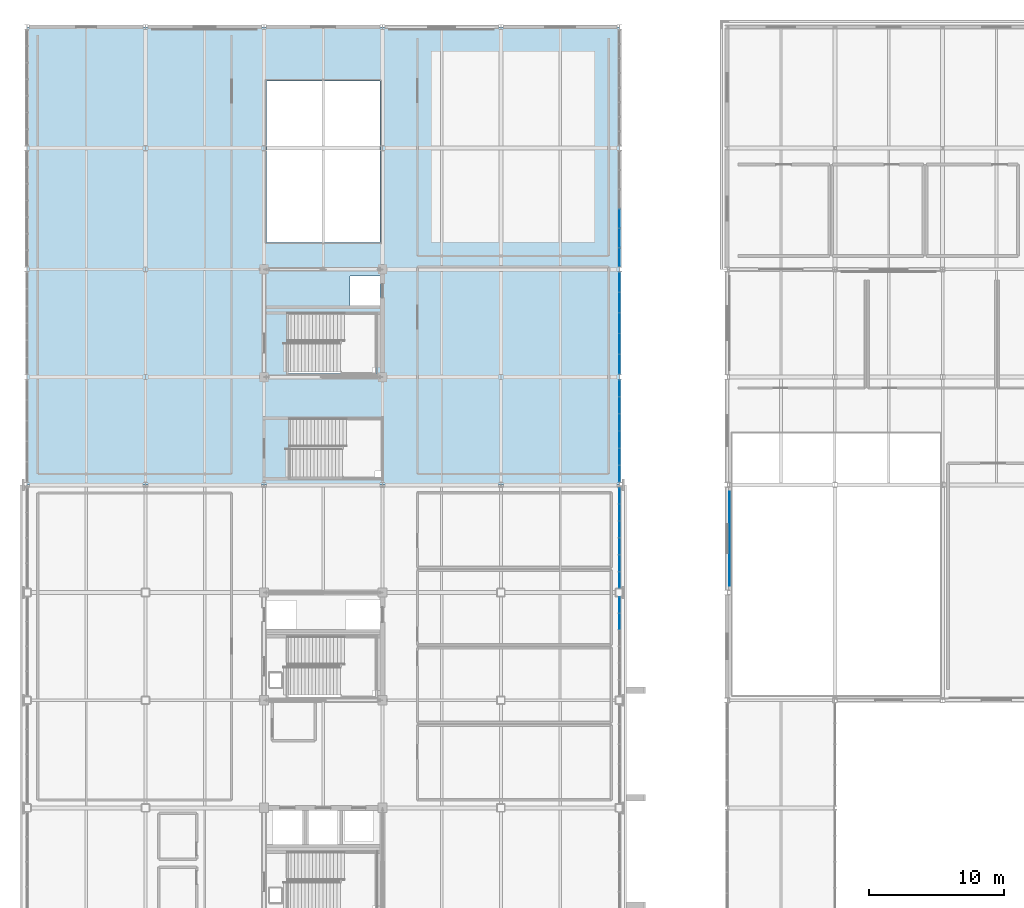
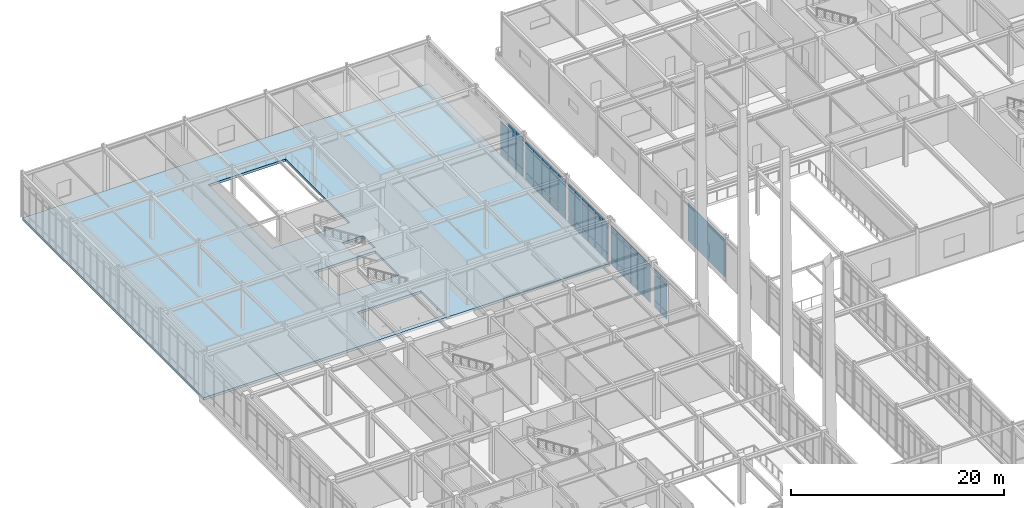
# One storey, part 97 of 184: 66 plates, 1 slab, 5 elements without a shape of their own.
"""IFC4 building model written with IfcOpenShell, lengths in metres."""

from ifc_helpers import new_model, si_unit, direction, frame, origin, origin_2d, place, context, subcontext, project, spatial, polyline, rectangle, outline, extrude, material, layer, layer_set, type_object, element, aggregate, save


model = new_model("IFC4")

# Units and contexts
model_context = context("Model", 3, precision=1e-05, world=origin(), true_north=direction((0.0, 1.0)))
body_context = subcontext(model_context, "Body", "Model", "MODEL_VIEW")
ifc_project = project(units=[si_unit("LENGTHUNIT", "METRE"), si_unit("AREAUNIT", "SQUARE_METRE"), si_unit("VOLUMEUNIT", "CUBIC_METRE"), si_unit("PLANEANGLEUNIT", "RADIAN"), si_unit("MASSUNIT", "GRAM", prefix="KILO")], contexts=[model_context])

# Site, building, storey
site_placement = place(None, origin())
site = spatial("IfcSite", under=ifc_project, at=site_placement, CompositionType="ELEMENT")
building_placement = place(site_placement, origin())
building = spatial("IfcBuilding", under=site, at=building_placement, Name="Zhaolan Boulevard Law Courts", CompositionType="ELEMENT")
storey_placement = place(building_placement, frame((0.0, 0.0, 5.39990234375)))
storey = spatial("IfcBuildingStorey", under=building, at=storey_placement, Name="L01", CompositionType="ELEMENT", Elevation=5.39990234375)

# Curtain wall, plates
ifc_material_1 = material(Name="Thermally broken aluminium and low-E glazing", Category="aluminium")
curtain_wall_type_1 = type_object("IfcCurtainWallType", Name="CURTAIN WALL M15", PredefinedType="USERDEFINED", material=ifc_material_1)
curtain_wall_1_placement = place(storey_placement, origin())
curtain_wall_1 = element("IfcCurtainWall", 1, at=curtain_wall_1_placement, inside=storey, type_object=curtain_wall_type_1, Name="Curtain Wall CW-L01-111", ObjectType="CURTAIN WALL", PredefinedType="USERDEFINED")
ifc_material_2 = material(Name="Acoustic laminated low-E glazing", Category="glass")
ifc_layer_1 = layer(ifc_material_2, 0.031982421875)
ifc_layer_set_1 = layer_set([ifc_layer_1])
plate_type_1 = type_object("IfcPlateType", Name="CWPANEL LOW E32", PredefinedType="CURTAIN_PANEL", material=ifc_layer_set_1)
plate_1_placement = place(storey_placement, frame((44.0, 78.830322265625, 0.06494140625), z_axis=(0.0, 0.0, 1.0), x_axis=(0.0, 1.0, 0.0)))
plate_1 = element("IfcPlate", 2, at=plate_1_placement, type_object=plate_type_1, Name="CW-L01-111 panel 1.1", PredefinedType="CURTAIN_PANEL", context=body_context, shape_type="SweptSolid", body=[
    extrude(rectangle(XDim=1.1767578125, YDim=0.031982421875, at=origin_2d()), origin(), (0.0, 0.0, 1.0), 0.802490234375),
])
plate_2_placement = place(storey_placement, frame((44.0, 78.830322265625, 0.9326171875), z_axis=(0.0, 0.0, 1.0), x_axis=(0.0, 1.0, 0.0)))
plate_2 = element("IfcPlate", 3, at=plate_2_placement, type_object=plate_type_1, Name="CW-L01-111 panel 1.2", PredefinedType="CURTAIN_PANEL", context=body_context, shape_type="SweptSolid", body=[
    extrude(rectangle(XDim=1.1767578125, YDim=0.031982421875, at=origin_2d()), origin(), (0.0, 0.0, 1.0), 2.887939453125),
])
plate_3_placement = place(storey_placement, frame((44.0, 78.830322265625, 3.8857421875), z_axis=(0.0, 0.0, 1.0), x_axis=(0.0, 1.0, 0.0)))
plate_3 = element("IfcPlate", 4, at=plate_3_placement, type_object=plate_type_1, Name="CW-L01-111 panel 1.3", PredefinedType="CURTAIN_PANEL", context=body_context, shape_type="SweptSolid", body=[
    extrude(rectangle(XDim=1.1767578125, YDim=0.031982421875, at=origin_2d()), origin(), (0.0, 0.0, 1.0), 0.552490234375),
])
plate_4_placement = place(storey_placement, frame((44.0, 80.08837890625, 0.06494140625), z_axis=(0.0, 0.0, 1.0), x_axis=(0.0, 1.0, 0.0)))
plate_4 = element("IfcPlate", 5, at=plate_4_placement, type_object=plate_type_1, Name="CW-L01-111 panel 2.1", PredefinedType="CURTAIN_PANEL", context=body_context, shape_type="SweptSolid", body=[
    extrude(rectangle(XDim=1.209228515625, YDim=0.031982421875, at=origin_2d()), origin(), (0.0, 0.0, 1.0), 0.802490234375),
])
plate_5_placement = place(storey_placement, frame((44.0, 80.08837890625, 0.9326171875), z_axis=(0.0, 0.0, 1.0), x_axis=(0.0, 1.0, 0.0)))
plate_5 = element("IfcPlate", 6, at=plate_5_placement, type_object=plate_type_1, Name="CW-L01-111 panel 2.2", PredefinedType="CURTAIN_PANEL", context=body_context, shape_type="SweptSolid", body=[
    extrude(rectangle(XDim=1.209228515625, YDim=0.031982421875, at=origin_2d()), origin(), (0.0, 0.0, 1.0), 2.887939453125),
])
plate_6_placement = place(storey_placement, frame((44.0, 80.08837890625, 3.8857421875), z_axis=(0.0, 0.0, 1.0), x_axis=(0.0, 1.0, 0.0)))
plate_6 = element("IfcPlate", 7, at=plate_6_placement, type_object=plate_type_1, Name="CW-L01-111 panel 2.3", PredefinedType="CURTAIN_PANEL", context=body_context, shape_type="SweptSolid", body=[
    extrude(rectangle(XDim=1.209228515625, YDim=0.031982421875, at=origin_2d()), origin(), (0.0, 0.0, 1.0), 0.552490234375),
])
plate_7_placement = place(storey_placement, frame((44.0, 81.36279296875, 0.06494140625), z_axis=(0.0, 0.0, 1.0), x_axis=(0.0, 1.0, 0.0)))
plate_7 = element("IfcPlate", 8, at=plate_7_placement, type_object=plate_type_1, Name="CW-L01-111 panel 3.1", PredefinedType="CURTAIN_PANEL", context=body_context, shape_type="SweptSolid", body=[
    extrude(rectangle(XDim=1.209228515625, YDim=0.031982421875, at=origin_2d()), origin(), (0.0, 0.0, 1.0), 0.802490234375),
])
plate_8_placement = place(storey_placement, frame((44.0, 81.36279296875, 0.9326171875), z_axis=(0.0, 0.0, 1.0), x_axis=(0.0, 1.0, 0.0)))
plate_8 = element("IfcPlate", 9, at=plate_8_placement, type_object=plate_type_1, Name="CW-L01-111 panel 3.2", PredefinedType="CURTAIN_PANEL", context=body_context, shape_type="SweptSolid", body=[
    extrude(rectangle(XDim=1.209228515625, YDim=0.031982421875, at=origin_2d()), origin(), (0.0, 0.0, 1.0), 2.887939453125),
])
plate_9_placement = place(storey_placement, frame((44.0, 81.36279296875, 3.8857421875), z_axis=(0.0, 0.0, 1.0), x_axis=(0.0, 1.0, 0.0)))
plate_9 = element("IfcPlate", 10, at=plate_9_placement, type_object=plate_type_1, Name="CW-L01-111 panel 3.3", PredefinedType="CURTAIN_PANEL", context=body_context, shape_type="SweptSolid", body=[
    extrude(rectangle(XDim=1.209228515625, YDim=0.031982421875, at=origin_2d()), origin(), (0.0, 0.0, 1.0), 0.552490234375),
])
plate_10_placement = place(storey_placement, frame((44.0, 82.63720703125, 0.06494140625), z_axis=(0.0, 0.0, 1.0), x_axis=(0.0, 1.0, 0.0)))
plate_10 = element("IfcPlate", 11, at=plate_10_placement, type_object=plate_type_1, Name="CW-L01-111 panel 4.1", PredefinedType="CURTAIN_PANEL", context=body_context, shape_type="SweptSolid", body=[
    extrude(rectangle(XDim=1.209228515625, YDim=0.031982421875, at=origin_2d()), origin(), (0.0, 0.0, 1.0), 0.802490234375),
])
plate_11_placement = place(storey_placement, frame((44.0, 82.63720703125, 0.9326171875), z_axis=(0.0, 0.0, 1.0), x_axis=(0.0, 1.0, 0.0)))
plate_11 = element("IfcPlate", 12, at=plate_11_placement, type_object=plate_type_1, Name="CW-L01-111 panel 4.2", PredefinedType="CURTAIN_PANEL", context=body_context, shape_type="SweptSolid", body=[
    extrude(rectangle(XDim=1.209228515625, YDim=0.031982421875, at=origin_2d()), origin(), (0.0, 0.0, 1.0), 2.887939453125),
])
plate_12_placement = place(storey_placement, frame((44.0, 82.63720703125, 3.8857421875), z_axis=(0.0, 0.0, 1.0), x_axis=(0.0, 1.0, 0.0)))
plate_12 = element("IfcPlate", 13, at=plate_12_placement, type_object=plate_type_1, Name="CW-L01-111 panel 4.3", PredefinedType="CURTAIN_PANEL", context=body_context, shape_type="SweptSolid", body=[
    extrude(rectangle(XDim=1.209228515625, YDim=0.031982421875, at=origin_2d()), origin(), (0.0, 0.0, 1.0), 0.552490234375),
])
plate_13_placement = place(storey_placement, frame((44.0, 83.91162109375, 0.06494140625), z_axis=(0.0, 0.0, 1.0), x_axis=(0.0, 1.0, 0.0)))
plate_13 = element("IfcPlate", 14, at=plate_13_placement, type_object=plate_type_1, Name="CW-L01-111 panel 5.1", PredefinedType="CURTAIN_PANEL", context=body_context, shape_type="SweptSolid", body=[
    extrude(rectangle(XDim=1.209228515625, YDim=0.031982421875, at=origin_2d()), origin(), (0.0, 0.0, 1.0), 0.802490234375),
])
plate_14_placement = place(storey_placement, frame((44.0, 83.91162109375, 0.9326171875), z_axis=(0.0, 0.0, 1.0), x_axis=(0.0, 1.0, 0.0)))
plate_14 = element("IfcPlate", 15, at=plate_14_placement, type_object=plate_type_1, Name="CW-L01-111 panel 5.2", PredefinedType="CURTAIN_PANEL", context=body_context, shape_type="SweptSolid", body=[
    extrude(rectangle(XDim=1.209228515625, YDim=0.031982421875, at=origin_2d()), origin(), (0.0, 0.0, 1.0), 2.887939453125),
])
plate_15_placement = place(storey_placement, frame((44.0, 83.91162109375, 3.8857421875), z_axis=(0.0, 0.0, 1.0), x_axis=(0.0, 1.0, 0.0)))
plate_15 = element("IfcPlate", 16, at=plate_15_placement, type_object=plate_type_1, Name="CW-L01-111 panel 5.3", PredefinedType="CURTAIN_PANEL", context=body_context, shape_type="SweptSolid", body=[
    extrude(rectangle(XDim=1.209228515625, YDim=0.031982421875, at=origin_2d()), origin(), (0.0, 0.0, 1.0), 0.552490234375),
])
plate_16_placement = place(storey_placement, frame((44.0, 85.169677734375, 0.06494140625), z_axis=(0.0, 0.0, 1.0), x_axis=(0.0, 1.0, 0.0)))
plate_16 = element("IfcPlate", 17, at=plate_16_placement, type_object=plate_type_1, Name="CW-L01-111 panel 6.1", PredefinedType="CURTAIN_PANEL", context=body_context, shape_type="SweptSolid", body=[
    extrude(rectangle(XDim=1.1767578125, YDim=0.031982421875, at=origin_2d()), origin(), (0.0, 0.0, 1.0), 0.802490234375),
])
plate_17_placement = place(storey_placement, frame((44.0, 85.169677734375, 0.9326171875), z_axis=(0.0, 0.0, 1.0), x_axis=(0.0, 1.0, 0.0)))
plate_17 = element("IfcPlate", 18, at=plate_17_placement, type_object=plate_type_1, Name="CW-L01-111 panel 6.2", PredefinedType="CURTAIN_PANEL", context=body_context, shape_type="SweptSolid", body=[
    extrude(rectangle(XDim=1.1767578125, YDim=0.031982421875, at=origin_2d()), origin(), (0.0, 0.0, 1.0), 2.887939453125),
])
plate_18_placement = place(storey_placement, frame((44.0, 85.169677734375, 3.8857421875), z_axis=(0.0, 0.0, 1.0), x_axis=(0.0, 1.0, 0.0)))
plate_18 = element("IfcPlate", 19, at=plate_18_placement, type_object=plate_type_1, Name="CW-L01-111 panel 6.3", PredefinedType="CURTAIN_PANEL", context=body_context, shape_type="SweptSolid", body=[
    extrude(rectangle(XDim=1.1767578125, YDim=0.031982421875, at=origin_2d()), origin(), (0.0, 0.0, 1.0), 0.552490234375),
])
aggregate(curtain_wall_1, [plate_1, plate_2, plate_3, plate_4, plate_5, plate_6, plate_7, plate_8, plate_9, plate_10, plate_11, plate_12, plate_13, plate_14, plate_15, plate_16, plate_17, plate_18])

ifc_material_3 = material(Name="Thermally broken aluminium and low-E glazing", Category="aluminium")
curtain_wall_type_2 = type_object("IfcCurtainWallType", Name="CURTAIN WALL M16", PredefinedType="USERDEFINED", material=ifc_material_3)
curtain_wall_2_placement = place(storey_placement, origin())
curtain_wall_2 = element("IfcCurtainWall", 20, at=curtain_wall_2_placement, inside=storey, type_object=curtain_wall_type_2, Name="Curtain Wall CW-L01-112", ObjectType="CURTAIN WALL", PredefinedType="USERDEFINED")
plate_19_placement = place(storey_placement, frame((44.0, 86.957763671875, 0.06494140625), z_axis=(0.0, 0.0, 1.0), x_axis=(0.0, 1.0, 0.0)))
plate_19 = element("IfcPlate", 21, at=plate_19_placement, type_object=plate_type_1, Name="CW-L01-112 panel 1.1", PredefinedType="CURTAIN_PANEL", context=body_context, shape_type="SweptSolid", body=[
    extrude(rectangle(XDim=1.431640625, YDim=0.031982421875, at=origin_2d()), origin(), (0.0, 0.0, 1.0), 0.802490234375),
])
plate_20_placement = place(storey_placement, frame((44.0, 86.957763671875, 0.9326171875), z_axis=(0.0, 0.0, 1.0), x_axis=(0.0, 1.0, 0.0)))
plate_20 = element("IfcPlate", 22, at=plate_20_placement, type_object=plate_type_1, Name="CW-L01-112 panel 1.2", PredefinedType="CURTAIN_PANEL", context=body_context, shape_type="SweptSolid", body=[
    extrude(rectangle(XDim=1.431640625, YDim=0.031982421875, at=origin_2d()), origin(), (0.0, 0.0, 1.0), 2.887939453125),
])
plate_21_placement = place(storey_placement, frame((44.0, 86.957763671875, 3.8857421875), z_axis=(0.0, 0.0, 1.0), x_axis=(0.0, 1.0, 0.0)))
plate_21 = element("IfcPlate", 23, at=plate_21_placement, type_object=plate_type_1, Name="CW-L01-112 panel 1.3", PredefinedType="CURTAIN_PANEL", context=body_context, shape_type="SweptSolid", body=[
    extrude(rectangle(XDim=1.431640625, YDim=0.031982421875, at=origin_2d()), origin(), (0.0, 0.0, 1.0), 0.552490234375),
])
plate_22_placement = place(storey_placement, frame((44.0, 88.470703125, 0.06494140625), z_axis=(0.0, 0.0, 1.0), x_axis=(0.0, 1.0, 0.0)))
plate_22 = element("IfcPlate", 24, at=plate_22_placement, type_object=plate_type_1, Name="CW-L01-112 panel 2.1", PredefinedType="CURTAIN_PANEL", context=body_context, shape_type="SweptSolid", body=[
    extrude(rectangle(XDim=1.464111328125, YDim=0.031982421875, at=origin_2d()), origin(), (0.0, 0.0, 1.0), 0.802490234375),
])
plate_23_placement = place(storey_placement, frame((44.0, 88.470703125, 0.9326171875), z_axis=(0.0, 0.0, 1.0), x_axis=(0.0, 1.0, 0.0)))
plate_23 = element("IfcPlate", 25, at=plate_23_placement, type_object=plate_type_1, Name="CW-L01-112 panel 2.2", PredefinedType="CURTAIN_PANEL", context=body_context, shape_type="SweptSolid", body=[
    extrude(rectangle(XDim=1.464111328125, YDim=0.031982421875, at=origin_2d()), origin(), (0.0, 0.0, 1.0), 2.887939453125),
])
plate_24_placement = place(storey_placement, frame((44.0, 88.470703125, 3.8857421875), z_axis=(0.0, 0.0, 1.0), x_axis=(0.0, 1.0, 0.0)))
plate_24 = element("IfcPlate", 26, at=plate_24_placement, type_object=plate_type_1, Name="CW-L01-112 panel 2.3", PredefinedType="CURTAIN_PANEL", context=body_context, shape_type="SweptSolid", body=[
    extrude(rectangle(XDim=1.464111328125, YDim=0.031982421875, at=origin_2d()), origin(), (0.0, 0.0, 1.0), 0.552490234375),
])
plate_25_placement = place(storey_placement, frame((44.0, 90.0, 0.06494140625), z_axis=(0.0, 0.0, 1.0), x_axis=(0.0, 1.0, 0.0)))
plate_25 = element("IfcPlate", 27, at=plate_25_placement, type_object=plate_type_1, Name="CW-L01-112 panel 3.1", PredefinedType="CURTAIN_PANEL", context=body_context, shape_type="SweptSolid", body=[
    extrude(rectangle(XDim=1.464111328125, YDim=0.031982421875, at=origin_2d()), origin(), (0.0, 0.0, 1.0), 0.802490234375),
])
plate_26_placement = place(storey_placement, frame((44.0, 90.0, 0.9326171875), z_axis=(0.0, 0.0, 1.0), x_axis=(0.0, 1.0, 0.0)))
plate_26 = element("IfcPlate", 28, at=plate_26_placement, type_object=plate_type_1, Name="CW-L01-112 panel 3.2", PredefinedType="CURTAIN_PANEL", context=body_context, shape_type="SweptSolid", body=[
    extrude(rectangle(XDim=1.464111328125, YDim=0.031982421875, at=origin_2d()), origin(), (0.0, 0.0, 1.0), 2.887939453125),
])
plate_27_placement = place(storey_placement, frame((44.0, 90.0, 3.8857421875), z_axis=(0.0, 0.0, 1.0), x_axis=(0.0, 1.0, 0.0)))
plate_27 = element("IfcPlate", 29, at=plate_27_placement, type_object=plate_type_1, Name="CW-L01-112 panel 3.3", PredefinedType="CURTAIN_PANEL", context=body_context, shape_type="SweptSolid", body=[
    extrude(rectangle(XDim=1.464111328125, YDim=0.031982421875, at=origin_2d()), origin(), (0.0, 0.0, 1.0), 0.552490234375),
])
plate_28_placement = place(storey_placement, frame((44.0, 91.529296875, 0.06494140625), z_axis=(0.0, 0.0, 1.0), x_axis=(0.0, 1.0, 0.0)))
plate_28 = element("IfcPlate", 30, at=plate_28_placement, type_object=plate_type_1, Name="CW-L01-112 panel 4.1", PredefinedType="CURTAIN_PANEL", context=body_context, shape_type="SweptSolid", body=[
    extrude(rectangle(XDim=1.464111328125, YDim=0.031982421875, at=origin_2d()), origin(), (0.0, 0.0, 1.0), 0.802490234375),
])
plate_29_placement = place(storey_placement, frame((44.0, 91.529296875, 0.9326171875), z_axis=(0.0, 0.0, 1.0), x_axis=(0.0, 1.0, 0.0)))
plate_29 = element("IfcPlate", 31, at=plate_29_placement, type_object=plate_type_1, Name="CW-L01-112 panel 4.2", PredefinedType="CURTAIN_PANEL", context=body_context, shape_type="SweptSolid", body=[
    extrude(rectangle(XDim=1.464111328125, YDim=0.031982421875, at=origin_2d()), origin(), (0.0, 0.0, 1.0), 2.887939453125),
])
plate_30_placement = place(storey_placement, frame((44.0, 91.529296875, 3.8857421875), z_axis=(0.0, 0.0, 1.0), x_axis=(0.0, 1.0, 0.0)))
plate_30 = element("IfcPlate", 32, at=plate_30_placement, type_object=plate_type_1, Name="CW-L01-112 panel 4.3", PredefinedType="CURTAIN_PANEL", context=body_context, shape_type="SweptSolid", body=[
    extrude(rectangle(XDim=1.464111328125, YDim=0.031982421875, at=origin_2d()), origin(), (0.0, 0.0, 1.0), 0.552490234375),
])
plate_31_placement = place(storey_placement, frame((44.0, 93.042236328125, 0.06494140625), z_axis=(0.0, 0.0, 1.0), x_axis=(0.0, 1.0, 0.0)))
plate_31 = element("IfcPlate", 33, at=plate_31_placement, type_object=plate_type_1, Name="CW-L01-112 panel 5.1", PredefinedType="CURTAIN_PANEL", context=body_context, shape_type="SweptSolid", body=[
    extrude(rectangle(XDim=1.431640625, YDim=0.031982421875, at=origin_2d()), origin(), (0.0, 0.0, 1.0), 0.802490234375),
])
plate_32_placement = place(storey_placement, frame((44.0, 93.042236328125, 0.9326171875), z_axis=(0.0, 0.0, 1.0), x_axis=(0.0, 1.0, 0.0)))
plate_32 = element("IfcPlate", 34, at=plate_32_placement, type_object=plate_type_1, Name="CW-L01-112 panel 5.2", PredefinedType="CURTAIN_PANEL", context=body_context, shape_type="SweptSolid", body=[
    extrude(rectangle(XDim=1.431640625, YDim=0.031982421875, at=origin_2d()), origin(), (0.0, 0.0, 1.0), 2.887939453125),
])
plate_33_placement = place(storey_placement, frame((44.0, 93.042236328125, 3.8857421875), z_axis=(0.0, 0.0, 1.0), x_axis=(0.0, 1.0, 0.0)))
plate_33 = element("IfcPlate", 35, at=plate_33_placement, type_object=plate_type_1, Name="CW-L01-112 panel 5.3", PredefinedType="CURTAIN_PANEL", context=body_context, shape_type="SweptSolid", body=[
    extrude(rectangle(XDim=1.431640625, YDim=0.031982421875, at=origin_2d()), origin(), (0.0, 0.0, 1.0), 0.552490234375),
])
aggregate(curtain_wall_2, [plate_19, plate_20, plate_21, plate_22, plate_23, plate_24, plate_25, plate_26, plate_27, plate_28, plate_29, plate_30, plate_31, plate_32, plate_33])

ifc_material_4 = material(Name="Thermally broken aluminium and low-E glazing", Category="aluminium")
curtain_wall_type_3 = type_object("IfcCurtainWallType", Name="CURTAIN WALL M17", PredefinedType="USERDEFINED", material=ifc_material_4)
curtain_wall_3_placement = place(storey_placement, origin())
curtain_wall_3 = element("IfcCurtainWall", 36, at=curtain_wall_3_placement, inside=storey, type_object=curtain_wall_type_3, Name="Curtain Wall CW-L01-113", ObjectType="CURTAIN WALL", PredefinedType="USERDEFINED")
plate_34_placement = place(storey_placement, frame((44.0, 94.913818359375, 0.06494140625), z_axis=(0.0, 0.0, 1.0), x_axis=(0.0, 1.0, 0.0)))
plate_34 = element("IfcPlate", 37, at=plate_34_placement, type_object=plate_type_1, Name="CW-L01-113 panel 1.1", PredefinedType="CURTAIN_PANEL", context=body_context, shape_type="SweptSolid", body=[
    extrude(rectangle(XDim=1.343505859375, YDim=0.031982421875, at=origin_2d()), origin(), (0.0, 0.0, 1.0), 0.802490234375),
])
plate_35_placement = place(storey_placement, frame((44.0, 94.913818359375, 0.9326171875), z_axis=(0.0, 0.0, 1.0), x_axis=(0.0, 1.0, 0.0)))
plate_35 = element("IfcPlate", 38, at=plate_35_placement, type_object=plate_type_1, Name="CW-L01-113 panel 1.2", PredefinedType="CURTAIN_PANEL", context=body_context, shape_type="SweptSolid", body=[
    extrude(rectangle(XDim=1.343505859375, YDim=0.031982421875, at=origin_2d()), origin(), (0.0, 0.0, 1.0), 3.006103515625),
])
plate_36_placement = place(storey_placement, frame((44.0, 94.913818359375, 4.00341796875), z_axis=(0.0, 0.0, 1.0), x_axis=(0.0, 1.0, 0.0)))
plate_36 = element("IfcPlate", 39, at=plate_36_placement, type_object=plate_type_1, Name="CW-L01-113 panel 1.3", PredefinedType="CURTAIN_PANEL", context=body_context, shape_type="SweptSolid", body=[
    extrude(rectangle(XDim=1.343505859375, YDim=0.031982421875, at=origin_2d()), origin(), (0.0, 0.0, 1.0), 0.552490234375),
])
plate_37_placement = place(storey_placement, frame((44.0, 96.33837890625, 0.06494140625), z_axis=(0.0, 0.0, 1.0), x_axis=(0.0, 1.0, 0.0)))
plate_37 = element("IfcPlate", 40, at=plate_37_placement, type_object=plate_type_1, Name="CW-L01-113 panel 2.1", PredefinedType="CURTAIN_PANEL", context=body_context, shape_type="SweptSolid", body=[
    extrude(rectangle(XDim=1.3759765625, YDim=0.031982421875, at=origin_2d()), origin(), (0.0, 0.0, 1.0), 0.802490234375),
])
plate_38_placement = place(storey_placement, frame((44.0, 96.33837890625, 0.9326171875), z_axis=(0.0, 0.0, 1.0), x_axis=(0.0, 1.0, 0.0)))
plate_38 = element("IfcPlate", 41, at=plate_38_placement, type_object=plate_type_1, Name="CW-L01-113 panel 2.2", PredefinedType="CURTAIN_PANEL", context=body_context, shape_type="SweptSolid", body=[
    extrude(rectangle(XDim=1.3759765625, YDim=0.031982421875, at=origin_2d()), origin(), (0.0, 0.0, 1.0), 3.006103515625),
])
plate_39_placement = place(storey_placement, frame((44.0, 96.33837890625, 4.00341796875), z_axis=(0.0, 0.0, 1.0), x_axis=(0.0, 1.0, 0.0)))
plate_39 = element("IfcPlate", 42, at=plate_39_placement, type_object=plate_type_1, Name="CW-L01-113 panel 2.3", PredefinedType="CURTAIN_PANEL", context=body_context, shape_type="SweptSolid", body=[
    extrude(rectangle(XDim=1.3759765625, YDim=0.031982421875, at=origin_2d()), origin(), (0.0, 0.0, 1.0), 0.552490234375),
])
plate_40_placement = place(storey_placement, frame((44.0, 97.779541015625, 0.06494140625), z_axis=(0.0, 0.0, 1.0), x_axis=(0.0, 1.0, 0.0)))
plate_40 = element("IfcPlate", 43, at=plate_40_placement, type_object=plate_type_1, Name="CW-L01-113 panel 3.1", PredefinedType="CURTAIN_PANEL", context=body_context, shape_type="SweptSolid", body=[
    extrude(rectangle(XDim=1.3759765625, YDim=0.031982421875, at=origin_2d()), origin(), (0.0, 0.0, 1.0), 0.802490234375),
])
plate_41_placement = place(storey_placement, frame((44.0, 97.779541015625, 0.9326171875), z_axis=(0.0, 0.0, 1.0), x_axis=(0.0, 1.0, 0.0)))
plate_41 = element("IfcPlate", 44, at=plate_41_placement, type_object=plate_type_1, Name="CW-L01-113 panel 3.2", PredefinedType="CURTAIN_PANEL", context=body_context, shape_type="SweptSolid", body=[
    extrude(rectangle(XDim=1.3759765625, YDim=0.031982421875, at=origin_2d()), origin(), (0.0, 0.0, 1.0), 3.006103515625),
])
aggregate(curtain_wall_3, [plate_34, plate_35, plate_36, plate_37, plate_38, plate_39, plate_40, plate_41])

ifc_material_5 = material(Name="Thermally broken aluminium and low-E glazing", Category="aluminium")
curtain_wall_type_4 = type_object("IfcCurtainWallType", Name="CURTAIN WALL M5", PredefinedType="USERDEFINED", material=ifc_material_5)
curtain_wall_4_placement = place(storey_placement, origin())
curtain_wall_4 = element("IfcCurtainWall", 45, at=curtain_wall_4_placement, inside=storey, type_object=curtain_wall_type_4, Name="Curtain Wall CW-L01-149", ObjectType="CURTAIN WALL", PredefinedType="USERDEFINED")
plate_42_placement = place(storey_placement, frame((44.0, 67.84912109375, 0.06494140625), z_axis=(0.0, 0.0, 1.0), x_axis=(0.0, 1.0, 0.0)))
plate_42 = element("IfcPlate", 46, at=plate_42_placement, type_object=plate_type_1, Name="CW-L01-149 panel 5.1", PredefinedType="CURTAIN_PANEL", context=body_context, shape_type="SweptSolid", body=[
    extrude(rectangle(XDim=1.167724609375, YDim=0.031982421875, at=origin_2d()), origin(), (0.0, 0.0, 1.0), 0.802490234375),
])
plate_43_placement = place(storey_placement, frame((44.0, 67.84912109375, 0.9326171875), z_axis=(0.0, 0.0, 1.0), x_axis=(0.0, 1.0, 0.0)))
plate_43 = element("IfcPlate", 47, at=plate_43_placement, type_object=plate_type_1, Name="CW-L01-149 panel 5.2", PredefinedType="CURTAIN_PANEL", context=body_context, shape_type="SweptSolid", body=[
    extrude(rectangle(XDim=1.167724609375, YDim=0.031982421875, at=origin_2d()), origin(), (0.0, 0.0, 1.0), 2.907958984375),
])
plate_44_placement = place(storey_placement, frame((44.0, 67.84912109375, 3.90576171875), z_axis=(0.0, 0.0, 1.0), x_axis=(0.0, 1.0, 0.0)))
plate_44 = element("IfcPlate", 48, at=plate_44_placement, type_object=plate_type_1, Name="CW-L01-149 panel 5.3", PredefinedType="CURTAIN_PANEL", context=body_context, shape_type="SweptSolid", body=[
    extrude(rectangle(XDim=1.167724609375, YDim=0.031982421875, at=origin_2d()), origin(), (0.0, 0.0, 1.0), 0.552490234375),
])
plate_45_placement = place(storey_placement, frame((44.0, 69.0654296875, 0.06494140625), z_axis=(0.0, 0.0, 1.0), x_axis=(0.0, 1.0, 0.0)))
plate_45 = element("IfcPlate", 49, at=plate_45_placement, type_object=plate_type_1, Name="CW-L01-149 panel 6.1", PredefinedType="CURTAIN_PANEL", context=body_context, shape_type="SweptSolid", body=[
    extrude(rectangle(XDim=1.13525390625, YDim=0.031982421875, at=origin_2d()), origin(), (0.0, 0.0, 1.0), 0.802490234375),
])
plate_46_placement = place(storey_placement, frame((44.0, 69.0654296875, 0.9326171875), z_axis=(0.0, 0.0, 1.0), x_axis=(0.0, 1.0, 0.0)))
plate_46 = element("IfcPlate", 50, at=plate_46_placement, type_object=plate_type_1, Name="CW-L01-149 panel 6.2", PredefinedType="CURTAIN_PANEL", context=body_context, shape_type="SweptSolid", body=[
    extrude(rectangle(XDim=1.13525390625, YDim=0.031982421875, at=origin_2d()), origin(), (0.0, 0.0, 1.0), 2.907958984375),
])
plate_47_placement = place(storey_placement, frame((44.0, 69.0654296875, 3.90576171875), z_axis=(0.0, 0.0, 1.0), x_axis=(0.0, 1.0, 0.0)))
plate_47 = element("IfcPlate", 51, at=plate_47_placement, type_object=plate_type_1, Name="CW-L01-149 panel 6.3", PredefinedType="CURTAIN_PANEL", context=body_context, shape_type="SweptSolid", body=[
    extrude(rectangle(XDim=1.13525390625, YDim=0.031982421875, at=origin_2d()), origin(), (0.0, 0.0, 1.0), 0.552490234375),
])
aggregate(curtain_wall_4, [plate_42, plate_43, plate_44, plate_45, plate_46, plate_47])

ifc_material_6 = material(Name="Thermally broken aluminium and low-E glazing", Category="aluminium")
curtain_wall_type_5 = type_object("IfcCurtainWallType", Name="CURTAIN WALL M6", PredefinedType="USERDEFINED", material=ifc_material_6)
curtain_wall_5_placement = place(storey_placement, origin())
curtain_wall_5 = element("IfcCurtainWall", 52, at=curtain_wall_5_placement, inside=storey, type_object=curtain_wall_type_5, Name="Curtain Wall CW-L01-150", ObjectType="CURTAIN WALL", PredefinedType="USERDEFINED")
plate_48_placement = place(storey_placement, frame((44.0, 70.945068359375, 0.06494140625), z_axis=(0.0, 0.0, 1.0), x_axis=(0.0, 1.0, 0.0)))
plate_48 = element("IfcPlate", 53, at=plate_48_placement, type_object=plate_type_1, Name="CW-L01-150 panel 1.1", PredefinedType="CURTAIN_PANEL", context=body_context, shape_type="SweptSolid", body=[
    extrude(rectangle(XDim=1.156005859375, YDim=0.031982421875, at=origin_2d()), origin(), (0.0, 0.0, 1.0), 0.802490234375),
])
plate_49_placement = place(storey_placement, frame((44.0, 70.945068359375, 0.9326171875), z_axis=(0.0, 0.0, 1.0), x_axis=(0.0, 1.0, 0.0)))
plate_49 = element("IfcPlate", 54, at=plate_49_placement, type_object=plate_type_1, Name="CW-L01-150 panel 1.2", PredefinedType="CURTAIN_PANEL", context=body_context, shape_type="SweptSolid", body=[
    extrude(rectangle(XDim=1.156005859375, YDim=0.031982421875, at=origin_2d()), origin(), (0.0, 0.0, 1.0), 2.907958984375),
])
plate_50_placement = place(storey_placement, frame((44.0, 70.945068359375, 3.90576171875), z_axis=(0.0, 0.0, 1.0), x_axis=(0.0, 1.0, 0.0)))
plate_50 = element("IfcPlate", 55, at=plate_50_placement, type_object=plate_type_1, Name="CW-L01-150 panel 1.3", PredefinedType="CURTAIN_PANEL", context=body_context, shape_type="SweptSolid", body=[
    extrude(rectangle(XDim=1.156005859375, YDim=0.031982421875, at=origin_2d()), origin(), (0.0, 0.0, 1.0), 0.552490234375),
])
plate_51_placement = place(storey_placement, frame((44.0, 72.18212890625, 0.06494140625), z_axis=(0.0, 0.0, 1.0), x_axis=(0.0, 1.0, 0.0)))
plate_51 = element("IfcPlate", 56, at=plate_51_placement, type_object=plate_type_1, Name="CW-L01-150 panel 2.1", PredefinedType="CURTAIN_PANEL", context=body_context, shape_type="SweptSolid", body=[
    extrude(rectangle(XDim=1.1884765625, YDim=0.031982421875, at=origin_2d()), origin(), (0.0, 0.0, 1.0), 0.802490234375),
])
plate_52_placement = place(storey_placement, frame((44.0, 72.18212890625, 0.9326171875), z_axis=(0.0, 0.0, 1.0), x_axis=(0.0, 1.0, 0.0)))
plate_52 = element("IfcPlate", 57, at=plate_52_placement, type_object=plate_type_1, Name="CW-L01-150 panel 2.2", PredefinedType="CURTAIN_PANEL", context=body_context, shape_type="SweptSolid", body=[
    extrude(rectangle(XDim=1.1884765625, YDim=0.031982421875, at=origin_2d()), origin(), (0.0, 0.0, 1.0), 2.907958984375),
])
plate_53_placement = place(storey_placement, frame((44.0, 72.18212890625, 3.90576171875), z_axis=(0.0, 0.0, 1.0), x_axis=(0.0, 1.0, 0.0)))
plate_53 = element("IfcPlate", 58, at=plate_53_placement, type_object=plate_type_1, Name="CW-L01-150 panel 2.3", PredefinedType="CURTAIN_PANEL", context=body_context, shape_type="SweptSolid", body=[
    extrude(rectangle(XDim=1.1884765625, YDim=0.031982421875, at=origin_2d()), origin(), (0.0, 0.0, 1.0), 0.552490234375),
])
plate_54_placement = place(storey_placement, frame((44.0, 73.435791015625, 0.06494140625), z_axis=(0.0, 0.0, 1.0), x_axis=(0.0, 1.0, 0.0)))
plate_54 = element("IfcPlate", 59, at=plate_54_placement, type_object=plate_type_1, Name="CW-L01-150 panel 3.1", PredefinedType="CURTAIN_PANEL", context=body_context, shape_type="SweptSolid", body=[
    extrude(rectangle(XDim=1.1884765625, YDim=0.031982421875, at=origin_2d()), origin(), (0.0, 0.0, 1.0), 0.802490234375),
])
plate_55_placement = place(storey_placement, frame((44.0, 73.435791015625, 0.9326171875), z_axis=(0.0, 0.0, 1.0), x_axis=(0.0, 1.0, 0.0)))
plate_55 = element("IfcPlate", 60, at=plate_55_placement, type_object=plate_type_1, Name="CW-L01-150 panel 3.2", PredefinedType="CURTAIN_PANEL", context=body_context, shape_type="SweptSolid", body=[
    extrude(rectangle(XDim=1.1884765625, YDim=0.031982421875, at=origin_2d()), origin(), (0.0, 0.0, 1.0), 2.907958984375),
])
plate_56_placement = place(storey_placement, frame((44.0, 73.435791015625, 3.90576171875), z_axis=(0.0, 0.0, 1.0), x_axis=(0.0, 1.0, 0.0)))
plate_56 = element("IfcPlate", 61, at=plate_56_placement, type_object=plate_type_1, Name="CW-L01-150 panel 3.3", PredefinedType="CURTAIN_PANEL", context=body_context, shape_type="SweptSolid", body=[
    extrude(rectangle(XDim=1.1884765625, YDim=0.031982421875, at=origin_2d()), origin(), (0.0, 0.0, 1.0), 0.552490234375),
])
plate_57_placement = place(storey_placement, frame((44.0, 74.689208984375, 0.06494140625), z_axis=(0.0, 0.0, 1.0), x_axis=(0.0, 1.0, 0.0)))
plate_57 = element("IfcPlate", 62, at=plate_57_placement, type_object=plate_type_1, Name="CW-L01-150 panel 4.1", PredefinedType="CURTAIN_PANEL", context=body_context, shape_type="SweptSolid", body=[
    extrude(rectangle(XDim=1.1884765625, YDim=0.031982421875, at=origin_2d()), origin(), (0.0, 0.0, 1.0), 0.802490234375),
])
plate_58_placement = place(storey_placement, frame((44.0, 74.689208984375, 0.9326171875), z_axis=(0.0, 0.0, 1.0), x_axis=(0.0, 1.0, 0.0)))
plate_58 = element("IfcPlate", 63, at=plate_58_placement, type_object=plate_type_1, Name="CW-L01-150 panel 4.2", PredefinedType="CURTAIN_PANEL", context=body_context, shape_type="SweptSolid", body=[
    extrude(rectangle(XDim=1.1884765625, YDim=0.031982421875, at=origin_2d()), origin(), (0.0, 0.0, 1.0), 2.907958984375),
])
plate_59_placement = place(storey_placement, frame((44.0, 74.689208984375, 3.90576171875), z_axis=(0.0, 0.0, 1.0), x_axis=(0.0, 1.0, 0.0)))
plate_59 = element("IfcPlate", 64, at=plate_59_placement, type_object=plate_type_1, Name="CW-L01-150 panel 4.3", PredefinedType="CURTAIN_PANEL", context=body_context, shape_type="SweptSolid", body=[
    extrude(rectangle(XDim=1.1884765625, YDim=0.031982421875, at=origin_2d()), origin(), (0.0, 0.0, 1.0), 0.552490234375),
])
plate_60_placement = place(storey_placement, frame((44.0, 75.94287109375, 0.06494140625), z_axis=(0.0, 0.0, 1.0), x_axis=(0.0, 1.0, 0.0)))
plate_60 = element("IfcPlate", 65, at=plate_60_placement, type_object=plate_type_1, Name="CW-L01-150 panel 5.1", PredefinedType="CURTAIN_PANEL", context=body_context, shape_type="SweptSolid", body=[
    extrude(rectangle(XDim=1.1884765625, YDim=0.031982421875, at=origin_2d()), origin(), (0.0, 0.0, 1.0), 0.802490234375),
])
plate_61_placement = place(storey_placement, frame((44.0, 75.94287109375, 0.9326171875), z_axis=(0.0, 0.0, 1.0), x_axis=(0.0, 1.0, 0.0)))
plate_61 = element("IfcPlate", 66, at=plate_61_placement, type_object=plate_type_1, Name="CW-L01-150 panel 5.2", PredefinedType="CURTAIN_PANEL", context=body_context, shape_type="SweptSolid", body=[
    extrude(rectangle(XDim=1.1884765625, YDim=0.031982421875, at=origin_2d()), origin(), (0.0, 0.0, 1.0), 2.907958984375),
])
plate_62_placement = place(storey_placement, frame((44.0, 75.94287109375, 3.90576171875), z_axis=(0.0, 0.0, 1.0), x_axis=(0.0, 1.0, 0.0)))
plate_62 = element("IfcPlate", 67, at=plate_62_placement, type_object=plate_type_1, Name="CW-L01-150 panel 5.3", PredefinedType="CURTAIN_PANEL", context=body_context, shape_type="SweptSolid", body=[
    extrude(rectangle(XDim=1.1884765625, YDim=0.031982421875, at=origin_2d()), origin(), (0.0, 0.0, 1.0), 0.552490234375),
])
plate_63_placement = place(storey_placement, frame((44.0, 77.179931640625, 0.06494140625), z_axis=(0.0, 0.0, 1.0), x_axis=(0.0, 1.0, 0.0)))
plate_63 = element("IfcPlate", 68, at=plate_63_placement, type_object=plate_type_1, Name="CW-L01-150 panel 6.1", PredefinedType="CURTAIN_PANEL", context=body_context, shape_type="SweptSolid", body=[
    extrude(rectangle(XDim=1.156005859375, YDim=0.031982421875, at=origin_2d()), origin(), (0.0, 0.0, 1.0), 0.802490234375),
])
plate_64_placement = place(storey_placement, frame((44.0, 77.179931640625, 0.9326171875), z_axis=(0.0, 0.0, 1.0), x_axis=(0.0, 1.0, 0.0)))
plate_64 = element("IfcPlate", 69, at=plate_64_placement, type_object=plate_type_1, Name="CW-L01-150 panel 6.2", PredefinedType="CURTAIN_PANEL", context=body_context, shape_type="SweptSolid", body=[
    extrude(rectangle(XDim=1.156005859375, YDim=0.031982421875, at=origin_2d()), origin(), (0.0, 0.0, 1.0), 2.907958984375),
])
plate_65_placement = place(storey_placement, frame((44.0, 77.179931640625, 3.90576171875), z_axis=(0.0, 0.0, 1.0), x_axis=(0.0, 1.0, 0.0)))
plate_65 = element("IfcPlate", 70, at=plate_65_placement, type_object=plate_type_1, Name="CW-L01-150 panel 6.3", PredefinedType="CURTAIN_PANEL", context=body_context, shape_type="SweptSolid", body=[
    extrude(rectangle(XDim=1.156005859375, YDim=0.031982421875, at=origin_2d()), origin(), (0.0, 0.0, 1.0), 0.552490234375),
])
aggregate(curtain_wall_5, [plate_48, plate_49, plate_50, plate_51, plate_52, plate_53, plate_54, plate_55, plate_56, plate_57, plate_58, plate_59, plate_60, plate_61, plate_62, plate_63, plate_64, plate_65])

# Slab
ifc_material_7 = material(Name="Concrete C40", Category="concrete")
ifc_layer_2 = layer(ifc_material_7, 0.280029296875)
ifc_layer_set_2 = layer_set([ifc_layer_2])
slab_type = type_object("IfcSlabType", Name="FLOOR SLAB 280", PredefinedType="FLOOR", material=ifc_layer_set_2)
slab_placement = place(storey_placement, frame((0.0, 0.0, -0.27978515625)))
element("IfcSlab", 71, at=slab_placement, inside=storey, type_object=slab_type, Name="Slab SLB-L01-V3", PredefinedType="FLOOR", context=body_context, shape_type="SweptSolid", body=[
    extrude(outline(polyline([(0.0, 78.0), (44.0, 78.0), (44.0, 112.0), (0.0, 112.0), (0.0, 78.0)]), holes=[polyline([(23.97509765625, 91.300048828125), (26.22509765625, 91.300048828125), (26.22509765625, 93.5), (23.97509765625, 93.5), (23.97509765625, 91.300048828125)]), polyline([(19.35009765625, 86.25), (25.949951171875, 86.25), (25.949951171875, 90.75), (19.35009765625, 90.75), (19.35009765625, 86.25)]), polyline([(19.5, 78.449951171875), (26.39990234375, 78.449951171875), (26.39990234375, 82.949951171875), (19.5, 82.949951171875), (19.5, 78.449951171875)]), polyline([(17.800048828125, 96.0), (26.199951171875, 96.0), (26.199951171875, 108.0), (17.800048828125, 108.0), (17.800048828125, 96.0)])]), origin(), (0.0, 0.0, 1.0), 0.27978515625),
])

# Plate
ifc_material_8 = material(Name="Pale mist-grey standing-seam Al-Mg-Mn zinc-titanium")
ifc_layer_3 = layer(ifc_material_8, 0.050048828125)
ifc_layer_set_3 = layer_set([ifc_layer_3])
plate_type_2 = type_object("IfcPlateType", Name="STANDING SEAM PLATE 50", PredefinedType="SHEET", material=ifc_layer_set_3)
plate_66_placement = place(storey_placement, frame((52.175048828125, 74.0, 0.1005859375), z_axis=(0.0, 0.0, 1.0), x_axis=(0.0, -1.0, 0.0)))
element("IfcPlate", 72, at=plate_66_placement, inside=storey, type_object=plate_type_2, Name="Standing-Seam Metal Wall Cladding SSP-L01-230", PredefinedType="SHEET", context=body_context, shape_type="SweptSolid", body=[
    extrude(rectangle(XDim=6.9599609375, YDim=0.050048828125, at=origin_2d()), origin(), (0.0, 0.0, 1.0), 4.302978515625),
])

save(model, "model.ifc")
